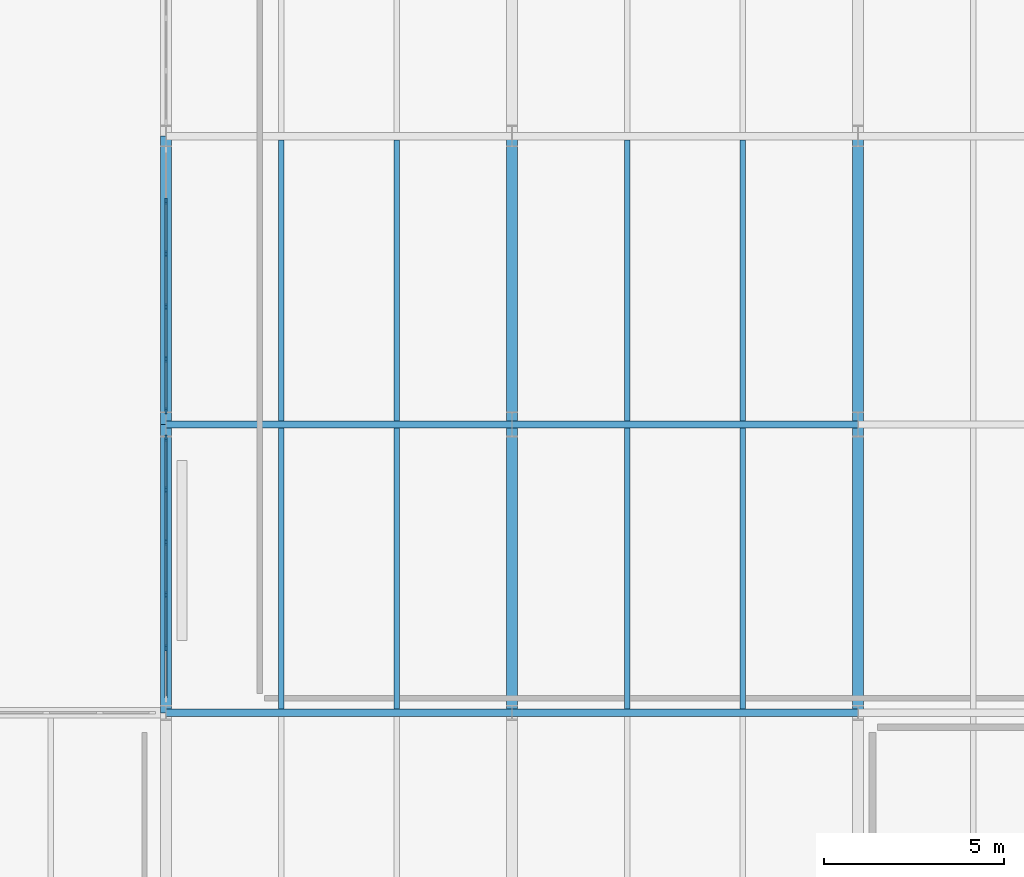
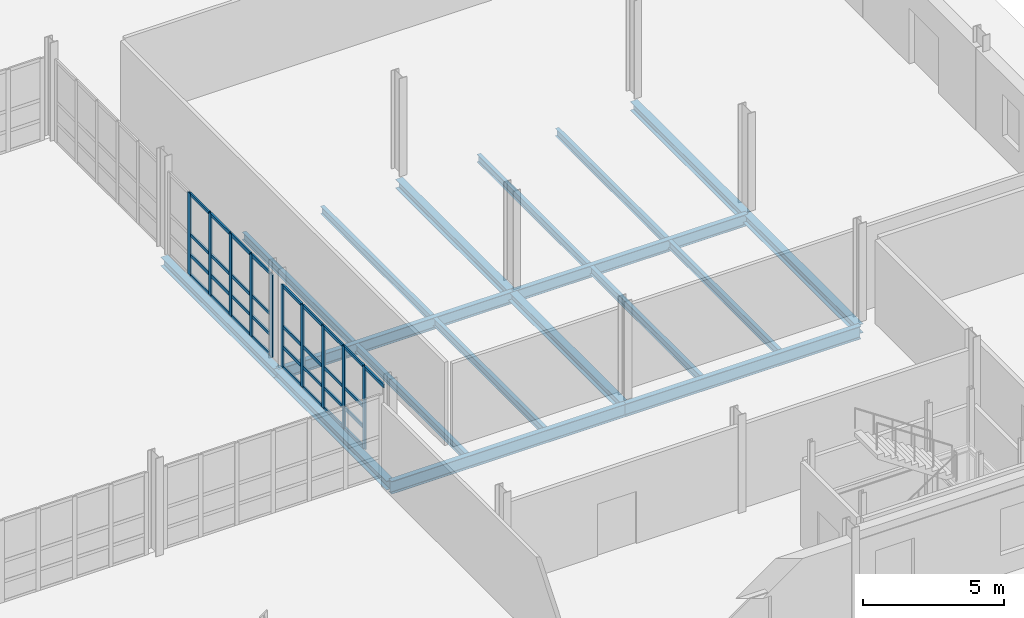
# One storey, part 43 of 78: 43 members, 18 beams, 2 elements without a shape of their own.
"""IFC4 building model written with IfcOpenShell, lengths in metres."""

from ifc_helpers import new_model, si_unit, direction, frame, origin, origin_2d, place, context, subcontext, project, spatial, rectangle, i_section, extrude, material, layer, layer_set, material_profile, profile_set, type_object, element, aggregate, save


model = new_model("IFC4")

# Units and contexts
model_context = context("Model", 3, precision=1e-05, world=origin(), true_north=direction((0.0, 1.0)))
body_context = subcontext(model_context, "Body", "Model", "MODEL_VIEW")
ifc_project = project(units=[si_unit("LENGTHUNIT", "METRE"), si_unit("AREAUNIT", "SQUARE_METRE"), si_unit("VOLUMEUNIT", "CUBIC_METRE"), si_unit("PLANEANGLEUNIT", "RADIAN"), si_unit("MASSUNIT", "GRAM", prefix="KILO")], contexts=[model_context])

# Site, building, storey
site_placement = place(None, origin())
site = spatial("IfcSite", under=ifc_project, at=site_placement, CompositionType="ELEMENT")
building_placement = place(site_placement, origin())
building = spatial("IfcBuilding", under=site, at=building_placement, Name="Alderhovde Museum", CompositionType="ELEMENT")
storey_placement = place(building_placement, origin())
storey = spatial("IfcBuildingStorey", under=building, at=storey_placement, Name="L00", CompositionType="ELEMENT", Elevation=0.0)

# Beams
ifc_material_1 = material(Name="Steel S355J2", Category="steel")
ifc_material_profile_1 = material_profile(ifc_material_1, i_section(OverallWidth=0.300048828125, OverallDepth=0.389892578125, WebThickness=0.010986328125, FlangeThickness=0.01904296875, FilletRadius=0.027099609375, at=origin_2d()), Name="HEA 400")
ifc_profile_set_1 = profile_set([ifc_material_profile_1], Name="Steel S355J2")
beam_type_1 = type_object("IfcBeamType", Name="BM-HEA400", PredefinedType="BEAM", material=ifc_profile_set_1)
for number, where, z_axis, x_axis, name in (
    (1, (144.0, 48.0, -0.47509765625), (0.0, 1.0, 0.0), (-1.0, 0.0, 0.0), "L00 Grid Beam X=144.0 (48.0 TO 56.0)"),
    (2, (144.0, 56.0, -0.47509765625), (0.0, 1.0, 0.0), (-1.0, 0.0, 0.0), "L00 Grid Beam X=144.0 (56.0 TO 64.0)"),
    (3, (153.60009765625, 48.0, -0.47509765625), (0.0, 1.0, 0.0), (-1.0, 0.0, 0.0), "L00 Grid Beam X=153.6 (48.0 TO 56.0)"),
    (4, (153.60009765625, 56.0, -0.47509765625), (0.0, 1.0, 0.0), (-1.0, 0.0, 0.0), "L00 Grid Beam X=153.6 (56.0 TO 64.0)"),
    (5, (163.199951171875, 48.0, -0.47509765625), (0.0, 1.0, 0.0), (-1.0, 0.0, 0.0), "L00 Grid Beam X=163.2 (48.0 TO 56.0)"),
    (6, (163.199951171875, 56.0, -0.47509765625), (0.0, 1.0, 0.0), (-1.0, 0.0, 0.0), "L00 Grid Beam X=163.2 (56.0 TO 64.0)"),
):
    element("IfcBeam", number, at=place(storey_placement, frame(where, z_axis=z_axis, x_axis=x_axis)), inside=storey, type_object=beam_type_1, Name=name, PredefinedType="BEAM", context=body_context, shape_type="SweptSolid", body=[
        extrude(i_section(OverallWidth=0.300048828125, OverallDepth=0.389892578125, WebThickness=0.010986328125, FlangeThickness=0.01904296875, FilletRadius=0.027099609375, at=origin_2d()), origin(), (0.0, 0.0, 1.0), 8.0),
    ])
ifc_material_2 = material(Name="Steel S355J2", Category="steel")
ifc_material_profile_2 = material_profile(ifc_material_2, i_section(OverallWidth=0.199951171875, OverallDepth=0.5, WebThickness=0.01025390625, FlangeThickness=0.01611328125, FilletRadius=0.02099609375, at=origin_2d()), Name="IPE 500")
ifc_profile_set_2 = profile_set([ifc_material_profile_2], Name="Steel S355J2")
beam_type_2 = type_object("IfcBeamType", Name="BM-IPE500", PredefinedType="BEAM", material=ifc_profile_set_2)
beam_1_placement = place(storey_placement, frame((144.0, 56.0, -0.530029296875), z_axis=(1.0, 0.0, 0.0), x_axis=(0.0, 1.0, 0.0)))
element("IfcBeam", 7, at=beam_1_placement, inside=storey, type_object=beam_type_2, Name="L00 Grid Beam Y=56.0 (144.0 TO 153.6)", PredefinedType="BEAM", context=body_context, shape_type="SweptSolid", body=[
    extrude(i_section(OverallWidth=0.199951171875, OverallDepth=0.5, WebThickness=0.01025390625, FlangeThickness=0.01611328125, FilletRadius=0.02099609375, at=origin_2d()), origin(), (0.0, 0.0, 1.0), 9.60009765625),
])
beam_2_placement = place(storey_placement, frame((153.60009765625, 56.0, -0.530029296875), z_axis=(1.0, 0.0, 0.0), x_axis=(0.0, 1.0, 0.0)))
element("IfcBeam", 8, at=beam_2_placement, inside=storey, type_object=beam_type_2, Name="L00 Grid Beam Y=56.0 (153.6 TO 163.2)", PredefinedType="BEAM", context=body_context, shape_type="SweptSolid", body=[
    extrude(i_section(OverallWidth=0.199951171875, OverallDepth=0.5, WebThickness=0.01025390625, FlangeThickness=0.01611328125, FilletRadius=0.02099609375, at=origin_2d()), origin(), (0.0, 0.0, 1.0), 9.599853515625),
])
ifc_material_3 = material(Name="Steel S355J2", Category="steel")
ifc_material_profile_3 = material_profile(ifc_material_3, i_section(OverallWidth=0.2099609375, OverallDepth=0.550048828125, WebThickness=0.010986328125, FlangeThickness=0.01708984375, FilletRadius=0.02392578125, at=origin_2d()), Name="IPE 550")
ifc_profile_set_3 = profile_set([ifc_material_profile_3], Name="Steel S355J2")
beam_type_3 = type_object("IfcBeamType", Name="BM-IPE550", PredefinedType="BEAM", material=ifc_profile_set_3)
beam_3_placement = place(storey_placement, frame((144.0, 48.0, -0.554931640625), z_axis=(1.0, 0.0, 0.0), x_axis=(0.0, 1.0, 0.0)))
element("IfcBeam", 9, at=beam_3_placement, inside=storey, type_object=beam_type_3, Name="L00 Grid Beam Y=48.0 (144.0 TO 153.6)", PredefinedType="BEAM", context=body_context, shape_type="SweptSolid", body=[
    extrude(i_section(OverallWidth=0.2099609375, OverallDepth=0.550048828125, WebThickness=0.010986328125, FlangeThickness=0.01708984375, FilletRadius=0.02392578125, at=origin_2d()), origin(), (0.0, 0.0, 1.0), 9.60009765625),
])
beam_4_placement = place(storey_placement, frame((153.60009765625, 48.0, -0.554931640625), z_axis=(1.0, 0.0, 0.0), x_axis=(0.0, 1.0, 0.0)))
element("IfcBeam", 10, at=beam_4_placement, inside=storey, type_object=beam_type_3, Name="L00 Grid Beam Y=48.0 (153.6 TO 163.2)", PredefinedType="BEAM", context=body_context, shape_type="SweptSolid", body=[
    extrude(i_section(OverallWidth=0.2099609375, OverallDepth=0.550048828125, WebThickness=0.010986328125, FlangeThickness=0.01708984375, FilletRadius=0.02392578125, at=origin_2d()), origin(), (0.0, 0.0, 1.0), 9.599853515625),
])

# Curtain wall, members
ifc_material_4 = material(Name="Triple-Glazed Bronze-Anodised Curtain Wall", Category="glass")
ifc_layer = layer(ifc_material_4, 0.179931640625)
ifc_layer_set = layer_set([ifc_layer], Name="Triple-Glazed Bronze-Anodised Curtain Wall")
curtain_wall_type = type_object("IfcCurtainWallType", Name="CW-STIC-730x356", PredefinedType="USERDEFINED", material=ifc_layer_set)
curtain_wall_1_placement = place(storey_placement, origin())
curtain_wall_1 = element("IfcCurtainWall", 11, at=curtain_wall_1_placement, inside=storey, type_object=curtain_wall_type, Name="L00 Stick Curtain Wall 140", ObjectType="STICK CURTAIN WALL", PredefinedType="USERDEFINED")
ifc_material_5 = material(Name="Bronze-Anodised Aluminium EN AW-6063-T6", Category="aluminium")
ifc_material_profile_4 = material_profile(ifc_material_5, rectangle(XDim=0.06494140625, YDim=0.179931640625, at=origin_2d()), Name="MULLION 65x180")
ifc_profile_set_4 = profile_set([ifc_material_profile_4], Name="Bronze-Anodised Aluminium EN AW-6063-T6")
member_type_1 = type_object("IfcMemberType", Name="CWM-65x180", PredefinedType="MULLION", material=ifc_profile_set_4)
member_1_placement = place(storey_placement, frame((144.0, 49.81005859375, 0.0), z_axis=(0.0, 0.0, 1.0), x_axis=(-1.0, 0.0, 0.0)))
member_1 = element("IfcMember", 12, at=member_1_placement, type_object=member_type_1, Name="CW33 mullion 2", PredefinedType="MULLION", context=body_context, shape_type="SweptSolid", body=[
    extrude(rectangle(XDim=0.06494140625, YDim=0.179931640625, at=origin_2d()), origin(), (0.0, 0.0, 1.0), 3.56005859375),
])
member_2_placement = place(storey_placement, frame((144.0, 51.27001953125, 0.0), z_axis=(0.0, 0.0, 1.0), x_axis=(-1.0, 0.0, 0.0)))
member_2 = element("IfcMember", 13, at=member_2_placement, type_object=member_type_1, Name="CW33 mullion 3", PredefinedType="MULLION", context=body_context, shape_type="SweptSolid", body=[
    extrude(rectangle(XDim=0.06494140625, YDim=0.179931640625, at=origin_2d()), origin(), (0.0, 0.0, 1.0), 3.56005859375),
])
member_3_placement = place(storey_placement, frame((144.0, 52.72998046875, 0.0), z_axis=(0.0, 0.0, 1.0), x_axis=(-1.0, 0.0, 0.0)))
member_3 = element("IfcMember", 14, at=member_3_placement, type_object=member_type_1, Name="CW33 mullion 4", PredefinedType="MULLION", context=body_context, shape_type="SweptSolid", body=[
    extrude(rectangle(XDim=0.06494140625, YDim=0.179931640625, at=origin_2d()), origin(), (0.0, 0.0, 1.0), 3.56005859375),
])
member_4_placement = place(storey_placement, frame((144.0, 54.18994140625, 0.0), z_axis=(0.0, 0.0, 1.0), x_axis=(-1.0, 0.0, 0.0)))
member_4 = element("IfcMember", 15, at=member_4_placement, type_object=member_type_1, Name="CW33 mullion 5", PredefinedType="MULLION", context=body_context, shape_type="SweptSolid", body=[
    extrude(rectangle(XDim=0.06494140625, YDim=0.179931640625, at=origin_2d()), origin(), (0.0, 0.0, 1.0), 3.56005859375),
])
member_5_placement = place(storey_placement, frame((144.0, 55.617431640625, 0.0), z_axis=(0.0, 0.0, 1.0), x_axis=(-1.0, 0.0, 0.0)))
member_5 = element("IfcMember", 16, at=member_5_placement, type_object=member_type_1, Name="CW33 mullion 6", PredefinedType="MULLION", context=body_context, shape_type="SweptSolid", body=[
    extrude(rectangle(XDim=0.06494140625, YDim=0.179931640625, at=origin_2d()), origin(), (0.0, 0.0, 1.0), 3.56005859375),
])

curtain_wall_2_placement = place(storey_placement, origin())
curtain_wall_2 = element("IfcCurtainWall", 17, at=curtain_wall_2_placement, inside=storey, type_object=curtain_wall_type, Name="L00 Stick Curtain Wall 141", ObjectType="STICK CURTAIN WALL", PredefinedType="USERDEFINED")
member_6_placement = place(storey_placement, frame((144.0, 56.382568359375, 0.0), z_axis=(0.0, 0.0, 1.0), x_axis=(-1.0, 0.0, 0.0)))
member_6 = element("IfcMember", 18, at=member_6_placement, type_object=member_type_1, Name="CW33 mullion 1", PredefinedType="MULLION", context=body_context, shape_type="SweptSolid", body=[
    extrude(rectangle(XDim=0.06494140625, YDim=0.179931640625, at=origin_2d()), origin(), (0.0, 0.0, 1.0), 3.56005859375),
])
member_7_placement = place(storey_placement, frame((144.0, 57.81005859375, 0.0), z_axis=(0.0, 0.0, 1.0), x_axis=(-1.0, 0.0, 0.0)))
member_7 = element("IfcMember", 19, at=member_7_placement, type_object=member_type_1, Name="CW33 mullion 2", PredefinedType="MULLION", context=body_context, shape_type="SweptSolid", body=[
    extrude(rectangle(XDim=0.06494140625, YDim=0.179931640625, at=origin_2d()), origin(), (0.0, 0.0, 1.0), 3.56005859375),
])
member_8_placement = place(storey_placement, frame((144.0, 59.27001953125, 0.0), z_axis=(0.0, 0.0, 1.0), x_axis=(-1.0, 0.0, 0.0)))
member_8 = element("IfcMember", 20, at=member_8_placement, type_object=member_type_1, Name="CW33 mullion 3", PredefinedType="MULLION", context=body_context, shape_type="SweptSolid", body=[
    extrude(rectangle(XDim=0.06494140625, YDim=0.179931640625, at=origin_2d()), origin(), (0.0, 0.0, 1.0), 3.56005859375),
])
member_9_placement = place(storey_placement, frame((144.0, 60.72998046875, 0.0), z_axis=(0.0, 0.0, 1.0), x_axis=(-1.0, 0.0, 0.0)))
member_9 = element("IfcMember", 21, at=member_9_placement, type_object=member_type_1, Name="CW33 mullion 4", PredefinedType="MULLION", context=body_context, shape_type="SweptSolid", body=[
    extrude(rectangle(XDim=0.06494140625, YDim=0.179931640625, at=origin_2d()), origin(), (0.0, 0.0, 1.0), 3.56005859375),
])
member_10_placement = place(storey_placement, frame((144.0, 62.18994140625, 0.0), z_axis=(0.0, 0.0, 1.0), x_axis=(-1.0, 0.0, 0.0)))
member_10 = element("IfcMember", 22, at=member_10_placement, type_object=member_type_1, Name="CW33 mullion 5", PredefinedType="MULLION", context=body_context, shape_type="SweptSolid", body=[
    extrude(rectangle(XDim=0.06494140625, YDim=0.179931640625, at=origin_2d()), origin(), (0.0, 0.0, 1.0), 3.56005859375),
])

# Member
ifc_material_6 = material(Name="Bronze-Anodised Aluminium EN AW-6063-T6", Category="aluminium")
ifc_material_profile_5 = material_profile(ifc_material_6, rectangle(XDim=0.06494140625, YDim=0.139892578125, at=origin_2d()), Name="TRANSOM 65x140")
ifc_profile_set_5 = profile_set([ifc_material_profile_5], Name="Bronze-Anodised Aluminium EN AW-6063-T6")
member_type_2 = type_object("IfcMemberType", Name="CWT-65x140", PredefinedType="USERDEFINED", material=ifc_profile_set_5)
member_11_placement = place(storey_placement, frame((144.0, 48.4150390625, 3.527587890625), z_axis=(0.0, 1.0, 0.0), x_axis=(-1.0, 0.0, 0.0)))
member_11 = element("IfcMember", 23, at=member_11_placement, type_object=member_type_2, Name="CW33 transom 1.4", ObjectType="TRANSOM", PredefinedType="USERDEFINED", context=body_context, shape_type="SweptSolid", body=[
    extrude(rectangle(XDim=0.06494140625, YDim=0.139892578125, at=origin_2d()), origin(), (0.0, 0.0, 1.0), 1.362548828125),
])

member_12_placement = place(storey_placement, frame((144.0, 49.842529296875, 0.032470703125), z_axis=(0.0, 1.0, 0.0), x_axis=(-1.0, 0.0, 0.0)))
member_12 = element("IfcMember", 24, at=member_12_placement, type_object=member_type_2, Name="CW33 transom 2.1", ObjectType="TRANSOM", PredefinedType="USERDEFINED", context=body_context, shape_type="SweptSolid", body=[
    extrude(rectangle(XDim=0.06494140625, YDim=0.139892578125, at=origin_2d()), origin(), (0.0, 0.0, 1.0), 1.39501953125),
])

member_13_placement = place(storey_placement, frame((144.0, 49.842529296875, 0.89990234375), z_axis=(0.0, 1.0, 0.0), x_axis=(-1.0, 0.0, 0.0)))
member_13 = element("IfcMember", 25, at=member_13_placement, type_object=member_type_2, Name="CW33 transom 2.2", ObjectType="TRANSOM", PredefinedType="USERDEFINED", context=body_context, shape_type="SweptSolid", body=[
    extrude(rectangle(XDim=0.06494140625, YDim=0.139892578125, at=origin_2d()), origin(), (0.0, 0.0, 1.0), 1.39501953125),
])

member_14_placement = place(storey_placement, frame((144.0, 49.842529296875, 1.780029296875), z_axis=(0.0, 1.0, 0.0), x_axis=(-1.0, 0.0, 0.0)))
member_14 = element("IfcMember", 26, at=member_14_placement, type_object=member_type_2, Name="CW33 transom 2.3", ObjectType="TRANSOM", PredefinedType="USERDEFINED", context=body_context, shape_type="SweptSolid", body=[
    extrude(rectangle(XDim=0.06494140625, YDim=0.139892578125, at=origin_2d()), origin(), (0.0, 0.0, 1.0), 1.39501953125),
])

member_15_placement = place(storey_placement, frame((144.0, 49.842529296875, 3.527587890625), z_axis=(0.0, 1.0, 0.0), x_axis=(-1.0, 0.0, 0.0)))
member_15 = element("IfcMember", 27, at=member_15_placement, type_object=member_type_2, Name="CW33 transom 2.4", ObjectType="TRANSOM", PredefinedType="USERDEFINED", context=body_context, shape_type="SweptSolid", body=[
    extrude(rectangle(XDim=0.06494140625, YDim=0.139892578125, at=origin_2d()), origin(), (0.0, 0.0, 1.0), 1.39501953125),
])

member_16_placement = place(storey_placement, frame((144.0, 51.302490234375, 0.032470703125), z_axis=(0.0, 1.0, 0.0), x_axis=(-1.0, 0.0, 0.0)))
member_16 = element("IfcMember", 28, at=member_16_placement, type_object=member_type_2, Name="CW33 transom 3.1", ObjectType="TRANSOM", PredefinedType="USERDEFINED", context=body_context, shape_type="SweptSolid", body=[
    extrude(rectangle(XDim=0.06494140625, YDim=0.139892578125, at=origin_2d()), origin(), (0.0, 0.0, 1.0), 1.39501953125),
])

member_17_placement = place(storey_placement, frame((144.0, 51.302490234375, 0.89990234375), z_axis=(0.0, 1.0, 0.0), x_axis=(-1.0, 0.0, 0.0)))
member_17 = element("IfcMember", 29, at=member_17_placement, type_object=member_type_2, Name="CW33 transom 3.2", ObjectType="TRANSOM", PredefinedType="USERDEFINED", context=body_context, shape_type="SweptSolid", body=[
    extrude(rectangle(XDim=0.06494140625, YDim=0.139892578125, at=origin_2d()), origin(), (0.0, 0.0, 1.0), 1.39501953125),
])

member_18_placement = place(storey_placement, frame((144.0, 51.302490234375, 1.780029296875), z_axis=(0.0, 1.0, 0.0), x_axis=(-1.0, 0.0, 0.0)))
member_18 = element("IfcMember", 30, at=member_18_placement, type_object=member_type_2, Name="CW33 transom 3.3", ObjectType="TRANSOM", PredefinedType="USERDEFINED", context=body_context, shape_type="SweptSolid", body=[
    extrude(rectangle(XDim=0.06494140625, YDim=0.139892578125, at=origin_2d()), origin(), (0.0, 0.0, 1.0), 1.39501953125),
])

member_19_placement = place(storey_placement, frame((144.0, 51.302490234375, 3.527587890625), z_axis=(0.0, 1.0, 0.0), x_axis=(-1.0, 0.0, 0.0)))
member_19 = element("IfcMember", 31, at=member_19_placement, type_object=member_type_2, Name="CW33 transom 3.4", ObjectType="TRANSOM", PredefinedType="USERDEFINED", context=body_context, shape_type="SweptSolid", body=[
    extrude(rectangle(XDim=0.06494140625, YDim=0.139892578125, at=origin_2d()), origin(), (0.0, 0.0, 1.0), 1.39501953125),
])

member_20_placement = place(storey_placement, frame((144.0, 52.762451171875, 0.032470703125), z_axis=(0.0, 1.0, 0.0), x_axis=(-1.0, 0.0, 0.0)))
member_20 = element("IfcMember", 32, at=member_20_placement, type_object=member_type_2, Name="CW33 transom 4.1", ObjectType="TRANSOM", PredefinedType="USERDEFINED", context=body_context, shape_type="SweptSolid", body=[
    extrude(rectangle(XDim=0.06494140625, YDim=0.139892578125, at=origin_2d()), origin(), (0.0, 0.0, 1.0), 1.39501953125),
])

member_21_placement = place(storey_placement, frame((144.0, 52.762451171875, 0.89990234375), z_axis=(0.0, 1.0, 0.0), x_axis=(-1.0, 0.0, 0.0)))
member_21 = element("IfcMember", 33, at=member_21_placement, type_object=member_type_2, Name="CW33 transom 4.2", ObjectType="TRANSOM", PredefinedType="USERDEFINED", context=body_context, shape_type="SweptSolid", body=[
    extrude(rectangle(XDim=0.06494140625, YDim=0.139892578125, at=origin_2d()), origin(), (0.0, 0.0, 1.0), 1.39501953125),
])

member_22_placement = place(storey_placement, frame((144.0, 52.762451171875, 1.780029296875), z_axis=(0.0, 1.0, 0.0), x_axis=(-1.0, 0.0, 0.0)))
member_22 = element("IfcMember", 34, at=member_22_placement, type_object=member_type_2, Name="CW33 transom 4.3", ObjectType="TRANSOM", PredefinedType="USERDEFINED", context=body_context, shape_type="SweptSolid", body=[
    extrude(rectangle(XDim=0.06494140625, YDim=0.139892578125, at=origin_2d()), origin(), (0.0, 0.0, 1.0), 1.39501953125),
])

member_23_placement = place(storey_placement, frame((144.0, 52.762451171875, 3.527587890625), z_axis=(0.0, 1.0, 0.0), x_axis=(-1.0, 0.0, 0.0)))
member_23 = element("IfcMember", 35, at=member_23_placement, type_object=member_type_2, Name="CW33 transom 4.4", ObjectType="TRANSOM", PredefinedType="USERDEFINED", context=body_context, shape_type="SweptSolid", body=[
    extrude(rectangle(XDim=0.06494140625, YDim=0.139892578125, at=origin_2d()), origin(), (0.0, 0.0, 1.0), 1.39501953125),
])

member_24_placement = place(storey_placement, frame((144.0, 54.222412109375, 0.032470703125), z_axis=(0.0, 1.0, 0.0), x_axis=(-1.0, 0.0, 0.0)))
member_24 = element("IfcMember", 36, at=member_24_placement, type_object=member_type_2, Name="CW33 transom 5.1", ObjectType="TRANSOM", PredefinedType="USERDEFINED", context=body_context, shape_type="SweptSolid", body=[
    extrude(rectangle(XDim=0.06494140625, YDim=0.139892578125, at=origin_2d()), origin(), (0.0, 0.0, 1.0), 1.362548828125),
])

member_25_placement = place(storey_placement, frame((144.0, 54.222412109375, 0.89990234375), z_axis=(0.0, 1.0, 0.0), x_axis=(-1.0, 0.0, 0.0)))
member_25 = element("IfcMember", 37, at=member_25_placement, type_object=member_type_2, Name="CW33 transom 5.2", ObjectType="TRANSOM", PredefinedType="USERDEFINED", context=body_context, shape_type="SweptSolid", body=[
    extrude(rectangle(XDim=0.06494140625, YDim=0.139892578125, at=origin_2d()), origin(), (0.0, 0.0, 1.0), 1.362548828125),
])

member_26_placement = place(storey_placement, frame((144.0, 54.222412109375, 1.780029296875), z_axis=(0.0, 1.0, 0.0), x_axis=(-1.0, 0.0, 0.0)))
member_26 = element("IfcMember", 38, at=member_26_placement, type_object=member_type_2, Name="CW33 transom 5.3", ObjectType="TRANSOM", PredefinedType="USERDEFINED", context=body_context, shape_type="SweptSolid", body=[
    extrude(rectangle(XDim=0.06494140625, YDim=0.139892578125, at=origin_2d()), origin(), (0.0, 0.0, 1.0), 1.362548828125),
])

member_27_placement = place(storey_placement, frame((144.0, 54.222412109375, 3.527587890625), z_axis=(0.0, 1.0, 0.0), x_axis=(-1.0, 0.0, 0.0)))
member_27 = element("IfcMember", 39, at=member_27_placement, type_object=member_type_2, Name="CW33 transom 5.4", ObjectType="TRANSOM", PredefinedType="USERDEFINED", context=body_context, shape_type="SweptSolid", body=[
    extrude(rectangle(XDim=0.06494140625, YDim=0.139892578125, at=origin_2d()), origin(), (0.0, 0.0, 1.0), 1.362548828125),
])

aggregate(curtain_wall_1, [member_1, member_2, member_3, member_4, member_5, member_11, member_12, member_13, member_14, member_15, member_16, member_17, member_18, member_19, member_20, member_21, member_22, member_23, member_24, member_25, member_26, member_27])

member_28_placement = place(storey_placement, frame((144.0, 56.4150390625, 0.032470703125), z_axis=(0.0, 1.0, 0.0), x_axis=(-1.0, 0.0, 0.0)))
member_28 = element("IfcMember", 40, at=member_28_placement, type_object=member_type_2, Name="CW33 transom 1.1", ObjectType="TRANSOM", PredefinedType="USERDEFINED", context=body_context, shape_type="SweptSolid", body=[
    extrude(rectangle(XDim=0.06494140625, YDim=0.139892578125, at=origin_2d()), origin(), (0.0, 0.0, 1.0), 1.362548828125),
])

member_29_placement = place(storey_placement, frame((144.0, 56.4150390625, 0.89990234375), z_axis=(0.0, 1.0, 0.0), x_axis=(-1.0, 0.0, 0.0)))
member_29 = element("IfcMember", 41, at=member_29_placement, type_object=member_type_2, Name="CW33 transom 1.2", ObjectType="TRANSOM", PredefinedType="USERDEFINED", context=body_context, shape_type="SweptSolid", body=[
    extrude(rectangle(XDim=0.06494140625, YDim=0.139892578125, at=origin_2d()), origin(), (0.0, 0.0, 1.0), 1.362548828125),
])

member_30_placement = place(storey_placement, frame((144.0, 56.4150390625, 1.780029296875), z_axis=(0.0, 1.0, 0.0), x_axis=(-1.0, 0.0, 0.0)))
member_30 = element("IfcMember", 42, at=member_30_placement, type_object=member_type_2, Name="CW33 transom 1.3", ObjectType="TRANSOM", PredefinedType="USERDEFINED", context=body_context, shape_type="SweptSolid", body=[
    extrude(rectangle(XDim=0.06494140625, YDim=0.139892578125, at=origin_2d()), origin(), (0.0, 0.0, 1.0), 1.362548828125),
])

member_31_placement = place(storey_placement, frame((144.0, 56.4150390625, 3.527587890625), z_axis=(0.0, 1.0, 0.0), x_axis=(-1.0, 0.0, 0.0)))
member_31 = element("IfcMember", 43, at=member_31_placement, type_object=member_type_2, Name="CW33 transom 1.4", ObjectType="TRANSOM", PredefinedType="USERDEFINED", context=body_context, shape_type="SweptSolid", body=[
    extrude(rectangle(XDim=0.06494140625, YDim=0.139892578125, at=origin_2d()), origin(), (0.0, 0.0, 1.0), 1.362548828125),
])

member_32_placement = place(storey_placement, frame((144.0, 57.842529296875, 0.032470703125), z_axis=(0.0, 1.0, 0.0), x_axis=(-1.0, 0.0, 0.0)))
member_32 = element("IfcMember", 44, at=member_32_placement, type_object=member_type_2, Name="CW33 transom 2.1", ObjectType="TRANSOM", PredefinedType="USERDEFINED", context=body_context, shape_type="SweptSolid", body=[
    extrude(rectangle(XDim=0.06494140625, YDim=0.139892578125, at=origin_2d()), origin(), (0.0, 0.0, 1.0), 1.39501953125),
])

member_33_placement = place(storey_placement, frame((144.0, 57.842529296875, 0.89990234375), z_axis=(0.0, 1.0, 0.0), x_axis=(-1.0, 0.0, 0.0)))
member_33 = element("IfcMember", 45, at=member_33_placement, type_object=member_type_2, Name="CW33 transom 2.2", ObjectType="TRANSOM", PredefinedType="USERDEFINED", context=body_context, shape_type="SweptSolid", body=[
    extrude(rectangle(XDim=0.06494140625, YDim=0.139892578125, at=origin_2d()), origin(), (0.0, 0.0, 1.0), 1.39501953125),
])

member_34_placement = place(storey_placement, frame((144.0, 57.842529296875, 1.780029296875), z_axis=(0.0, 1.0, 0.0), x_axis=(-1.0, 0.0, 0.0)))
member_34 = element("IfcMember", 46, at=member_34_placement, type_object=member_type_2, Name="CW33 transom 2.3", ObjectType="TRANSOM", PredefinedType="USERDEFINED", context=body_context, shape_type="SweptSolid", body=[
    extrude(rectangle(XDim=0.06494140625, YDim=0.139892578125, at=origin_2d()), origin(), (0.0, 0.0, 1.0), 1.39501953125),
])

member_35_placement = place(storey_placement, frame((144.0, 57.842529296875, 3.527587890625), z_axis=(0.0, 1.0, 0.0), x_axis=(-1.0, 0.0, 0.0)))
member_35 = element("IfcMember", 47, at=member_35_placement, type_object=member_type_2, Name="CW33 transom 2.4", ObjectType="TRANSOM", PredefinedType="USERDEFINED", context=body_context, shape_type="SweptSolid", body=[
    extrude(rectangle(XDim=0.06494140625, YDim=0.139892578125, at=origin_2d()), origin(), (0.0, 0.0, 1.0), 1.39501953125),
])

member_36_placement = place(storey_placement, frame((144.0, 59.302490234375, 0.032470703125), z_axis=(0.0, 1.0, 0.0), x_axis=(-1.0, 0.0, 0.0)))
member_36 = element("IfcMember", 48, at=member_36_placement, type_object=member_type_2, Name="CW33 transom 3.1", ObjectType="TRANSOM", PredefinedType="USERDEFINED", context=body_context, shape_type="SweptSolid", body=[
    extrude(rectangle(XDim=0.06494140625, YDim=0.139892578125, at=origin_2d()), origin(), (0.0, 0.0, 1.0), 1.39501953125),
])

member_37_placement = place(storey_placement, frame((144.0, 59.302490234375, 0.89990234375), z_axis=(0.0, 1.0, 0.0), x_axis=(-1.0, 0.0, 0.0)))
member_37 = element("IfcMember", 49, at=member_37_placement, type_object=member_type_2, Name="CW33 transom 3.2", ObjectType="TRANSOM", PredefinedType="USERDEFINED", context=body_context, shape_type="SweptSolid", body=[
    extrude(rectangle(XDim=0.06494140625, YDim=0.139892578125, at=origin_2d()), origin(), (0.0, 0.0, 1.0), 1.39501953125),
])

member_38_placement = place(storey_placement, frame((144.0, 59.302490234375, 1.780029296875), z_axis=(0.0, 1.0, 0.0), x_axis=(-1.0, 0.0, 0.0)))
member_38 = element("IfcMember", 50, at=member_38_placement, type_object=member_type_2, Name="CW33 transom 3.3", ObjectType="TRANSOM", PredefinedType="USERDEFINED", context=body_context, shape_type="SweptSolid", body=[
    extrude(rectangle(XDim=0.06494140625, YDim=0.139892578125, at=origin_2d()), origin(), (0.0, 0.0, 1.0), 1.39501953125),
])

member_39_placement = place(storey_placement, frame((144.0, 59.302490234375, 3.527587890625), z_axis=(0.0, 1.0, 0.0), x_axis=(-1.0, 0.0, 0.0)))
member_39 = element("IfcMember", 51, at=member_39_placement, type_object=member_type_2, Name="CW33 transom 3.4", ObjectType="TRANSOM", PredefinedType="USERDEFINED", context=body_context, shape_type="SweptSolid", body=[
    extrude(rectangle(XDim=0.06494140625, YDim=0.139892578125, at=origin_2d()), origin(), (0.0, 0.0, 1.0), 1.39501953125),
])

member_40_placement = place(storey_placement, frame((144.0, 60.762451171875, 0.032470703125), z_axis=(0.0, 1.0, 0.0), x_axis=(-1.0, 0.0, 0.0)))
member_40 = element("IfcMember", 52, at=member_40_placement, type_object=member_type_2, Name="CW33 transom 4.1", ObjectType="TRANSOM", PredefinedType="USERDEFINED", context=body_context, shape_type="SweptSolid", body=[
    extrude(rectangle(XDim=0.06494140625, YDim=0.139892578125, at=origin_2d()), origin(), (0.0, 0.0, 1.0), 1.39501953125),
])

member_41_placement = place(storey_placement, frame((144.0, 60.762451171875, 0.89990234375), z_axis=(0.0, 1.0, 0.0), x_axis=(-1.0, 0.0, 0.0)))
member_41 = element("IfcMember", 53, at=member_41_placement, type_object=member_type_2, Name="CW33 transom 4.2", ObjectType="TRANSOM", PredefinedType="USERDEFINED", context=body_context, shape_type="SweptSolid", body=[
    extrude(rectangle(XDim=0.06494140625, YDim=0.139892578125, at=origin_2d()), origin(), (0.0, 0.0, 1.0), 1.39501953125),
])

member_42_placement = place(storey_placement, frame((144.0, 60.762451171875, 1.780029296875), z_axis=(0.0, 1.0, 0.0), x_axis=(-1.0, 0.0, 0.0)))
member_42 = element("IfcMember", 54, at=member_42_placement, type_object=member_type_2, Name="CW33 transom 4.3", ObjectType="TRANSOM", PredefinedType="USERDEFINED", context=body_context, shape_type="SweptSolid", body=[
    extrude(rectangle(XDim=0.06494140625, YDim=0.139892578125, at=origin_2d()), origin(), (0.0, 0.0, 1.0), 1.39501953125),
])

member_43_placement = place(storey_placement, frame((144.0, 60.762451171875, 3.527587890625), z_axis=(0.0, 1.0, 0.0), x_axis=(-1.0, 0.0, 0.0)))
member_43 = element("IfcMember", 55, at=member_43_placement, type_object=member_type_2, Name="CW33 transom 4.4", ObjectType="TRANSOM", PredefinedType="USERDEFINED", context=body_context, shape_type="SweptSolid", body=[
    extrude(rectangle(XDim=0.06494140625, YDim=0.139892578125, at=origin_2d()), origin(), (0.0, 0.0, 1.0), 1.39501953125),
])

aggregate(curtain_wall_2, [member_6, member_7, member_8, member_9, member_10, member_28, member_29, member_30, member_31, member_32, member_33, member_34, member_35, member_36, member_37, member_38, member_39, member_40, member_41, member_42, member_43])

# Beams
ifc_material_7 = material(Name="Steel S355J2", Category="steel")
ifc_material_profile_6 = material_profile(ifc_material_7, i_section(OverallWidth=0.159912109375, OverallDepth=0.330078125, WebThickness=0.007568359375, FlangeThickness=0.011474609375, FilletRadius=0.01806640625, at=origin_2d()), Name="IPE 330")
ifc_profile_set_6 = profile_set([ifc_material_profile_6], Name="Steel S355J2")
beam_type_4 = type_object("IfcBeamType", Name="JST-IPE330", PredefinedType="JOIST", material=ifc_profile_set_6)
for number, where, z_axis, x_axis, name in (
    (56, (147.199951171875, 48.10498046875, -0.445068359375), (0.0, 1.0, 0.0), (-1.0, 0.0, 0.0), "L00 Composite Joist X=147.2 (48.0 TO 56.0)"),
    (57, (150.39990234375, 48.10498046875, -0.445068359375), (0.0, 1.0, 0.0), (-1.0, 0.0, 0.0), "L00 Composite Joist X=150.4 (48.0 TO 56.0)"),
    (58, (147.199951171875, 56.10009765625, -0.445068359375), (0.0, 1.0, 0.0), (-1.0, 0.0, 0.0), "L00 Composite Joist X=147.2 (56.0 TO 64.0)"),
    (59, (150.39990234375, 56.10009765625, -0.445068359375), (0.0, 1.0, 0.0), (-1.0, 0.0, 0.0), "L00 Composite Joist X=150.4 (56.0 TO 64.0)"),
    (60, (156.800048828125, 48.10498046875, -0.445068359375), (0.0, 1.0, 0.0), (-1.0, 0.0, 0.0), "L00 Composite Joist X=156.8 (48.0 TO 56.0)"),
    (61, (160.0, 48.10498046875, -0.445068359375), (0.0, 1.0, 0.0), (-1.0, 0.0, 0.0), "L00 Composite Joist X=160.0 (48.0 TO 56.0)"),
    (62, (156.800048828125, 56.10009765625, -0.445068359375), (0.0, 1.0, 0.0), (-1.0, 0.0, 0.0), "L00 Composite Joist X=156.8 (56.0 TO 64.0)"),
    (63, (160.0, 56.10009765625, -0.445068359375), (0.0, 1.0, 0.0), (-1.0, 0.0, 0.0), "L00 Composite Joist X=160.0 (56.0 TO 64.0)"),
):
    element("IfcBeam", number, at=place(storey_placement, frame(where, z_axis=z_axis, x_axis=x_axis)), inside=storey, type_object=beam_type_4, Name=name, PredefinedType="JOIST", context=body_context, shape_type="SweptSolid", body=[
        extrude(i_section(OverallWidth=0.159912109375, OverallDepth=0.330078125, WebThickness=0.007568359375, FlangeThickness=0.011474609375, FilletRadius=0.01806640625, at=origin_2d()), origin(), (0.0, 0.0, 1.0), 7.794921875),
    ])

save(model, "model.ifc")
